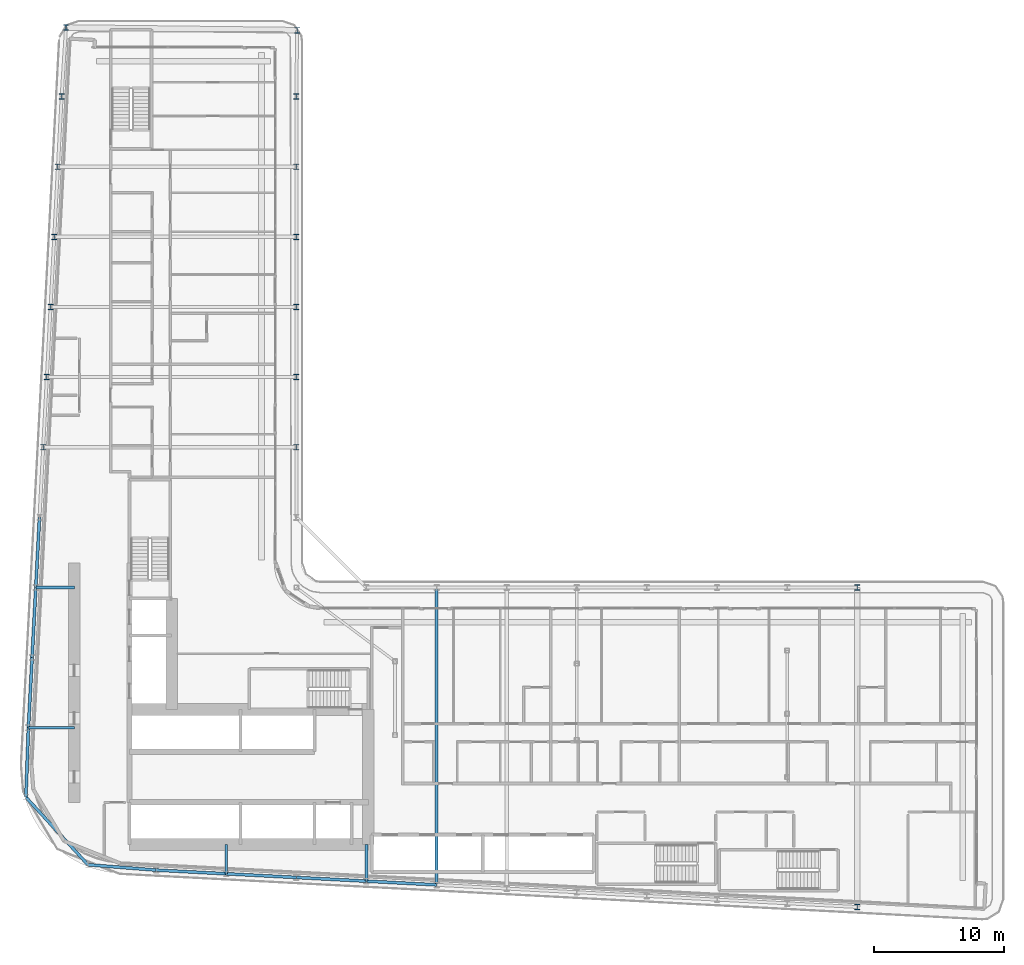
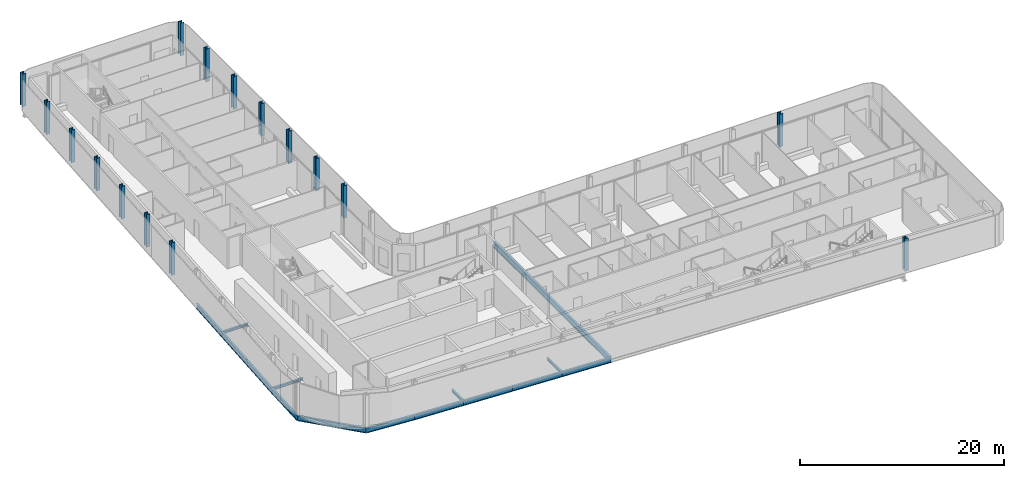
# One storey, part 3 of 27: 16 columns, 15 beams.
"""IFC4 building model written with IfcOpenShell, lengths in metres."""

import ifcopenshell
import ifcopenshell.guid

model = None  # the IFC model being written
_history = None  # IfcOwnerHistory: only IFC2X3 demands one
_inside = {}  # id of a spatial element -> (the spatial element, [elements in it])
_under = {}  # id of a project, library or spatial element -> (it, [spatial elements below it])
_declared = {}  # id of a project -> (the project, [libraries it declares])
_typed = {}  # id of a type object -> (the type object, [elements of that type])
_made_of = {}  # id of a material, layer set ... -> (it, [elements and type objects made of it])


def new_model(schema):
    """Start an empty IFC model of exactly this schema.

    Asked for "IFC4X3", IfcOpenShell would pick the latest addendum, in which some entities
    have other attributes; the version numbers below select the first issue.
    IFC2X3 requires an IfcOwnerHistory on every rooted entity: one is made here for all.
    """
    global model, _history
    if schema == "IFC4X3":
        model = ifcopenshell.file(schema_version=(4, 3, 0, 0))
    else:
        model = ifcopenshell.file(schema=schema)
    _inside.clear()
    _under.clear()
    _declared.clear()
    _typed.clear()
    _made_of.clear()
    _history = None
    if model.schema == "IFC2X3":
        org = make("IfcOrganization", Name="unknown")
        user = make(
            "IfcPersonAndOrganization",
            ThePerson=make("IfcPerson", FamilyName="unknown"),
            TheOrganization=org,
        )
        app = make(
            "IfcApplication",
            ApplicationDeveloper=org,
            Version="unknown",
            ApplicationFullName="unknown",
            ApplicationIdentifier="unknown",
        )
        _history = make(
            "IfcOwnerHistory",
            OwningUser=user,
            OwningApplication=app,
            ChangeAction="ADDED",
            CreationDate=0,
        )
    return model


def make(cls, **values):
    """One entity of the class cls with the attributes given. An attribute that is None is left unset."""
    return model.create_entity(
        cls, **{name: value for name, value in values.items() if value is not None}
    )


def rooted(cls, **values):
    """An entity with a GlobalId (a new one), such as an element, a storey or a relation."""
    return make(cls, GlobalId=ifcopenshell.guid.new(), OwnerHistory=_history, **values)


def si_unit(unit_type, name, prefix=None):
    """IfcSIUnit, for example si_unit("LENGTHUNIT", "METRE", prefix="MILLI")."""
    return make("IfcSIUnit", UnitType=unit_type, Prefix=prefix, Name=name)


def assignment(units):
    """IfcUnitAssignment: the units of a project."""
    return None if units is None else make("IfcUnitAssignment", Units=units)


def point(xyz):
    """IfcCartesianPoint."""
    return None if xyz is None else make("IfcCartesianPoint", Coordinates=xyz)


def direction(xyz):
    """IfcDirection."""
    return None if xyz is None else make("IfcDirection", DirectionRatios=xyz)


def frame(location, z_axis=None, x_axis=None):
    """IfcAxis2Placement3D, a coordinate frame: its origin and axes. An axis left out is left unset."""
    return make(
        "IfcAxis2Placement3D",
        Location=point(location),
        Axis=direction(z_axis),
        RefDirection=direction(x_axis),
    )


def frame_2d(location, x_axis=None):
    """IfcAxis2Placement2D, a coordinate frame in the plane: its origin and x axis."""
    return make(
        "IfcAxis2Placement2D", Location=point(location), RefDirection=direction(x_axis)
    )


def origin():
    """The frame at (0, 0, 0) with its axes left unset."""
    return frame((0.0, 0.0, 0.0))


def origin_2d():
    """The frame at (0, 0) in the plane with its x axis left unset."""
    return frame_2d((0.0, 0.0))


def place(relative_to, where):
    """IfcLocalPlacement: puts the frame where relative to a parent placement (None: the world)."""
    return make(
        "IfcLocalPlacement", PlacementRelTo=relative_to, RelativePlacement=where
    )


def context(
    kind, dimensions, precision=None, world=None, true_north=None, identifier=None
):
    """IfcGeometricRepresentationContext, for example the 3D "Model" context."""
    return make(
        "IfcGeometricRepresentationContext",
        ContextIdentifier=identifier,
        ContextType=kind,
        CoordinateSpaceDimension=dimensions,
        Precision=precision,
        WorldCoordinateSystem=world,
        TrueNorth=true_north,
    )


def subcontext(parent, identifier, kind, view, scale=None):
    """IfcGeometricRepresentationSubContext, for example "Body" below "Model"."""
    return make(
        "IfcGeometricRepresentationSubContext",
        ContextIdentifier=identifier,
        ContextType=kind,
        ParentContext=parent,
        TargetScale=scale,
        TargetView=view,
    )


def project(units=None, contexts=None):
    """IfcProject with its units and contexts."""
    return rooted(
        "IfcProject",
        Name="project",
        RepresentationContexts=contexts,
        UnitsInContext=assignment(units),
    )


def spatial(cls, under=None, at=None, **own):
    """A site, building, storey or space (cls), placed at a placement, below another one or the project."""
    s = rooted(cls, ObjectPlacement=at, **own)
    if under is not None:
        _under.setdefault(under.id(), (under, []))[1].append(s)
    return s


def profile(cls, at=None, kind="AREA", **sizes):
    """A parametric profile (cls). Its sizes go by their IFC names, for example OverallWidth=200.0."""
    return make(cls, ProfileType=kind, Position=at, **sizes)


def i_section(**sizes):
    """IfcIShapeProfileDef."""
    return profile("IfcIShapeProfileDef", **sizes)


def extrude(swept, where, along, depth):
    """IfcExtrudedAreaSolid: the profile swept, set in the frame where, extruded along a direction by depth."""
    return make(
        "IfcExtrudedAreaSolid",
        SweptArea=swept,
        Position=where,
        ExtrudedDirection=direction(along),
        Depth=depth,
    )


def shape(context_of_items, identifier, shape_type, items):
    """IfcShapeRepresentation: the items that make up one representation, for example the "Body"."""
    return make(
        "IfcShapeRepresentation",
        ContextOfItems=context_of_items,
        RepresentationIdentifier=identifier,
        RepresentationType=shape_type,
        Items=items,
    )


def material(Name=None, Category=None):
    """IfcMaterial."""
    return make("IfcMaterial", Name=Name, Category=Category)


def material_profile(
    of_material, cross_section, Name=None, Category=None, Priority=None
):
    """IfcMaterialProfile: a cross section and its material."""
    return make(
        "IfcMaterialProfile",
        Name=Name,
        Material=of_material,
        Profile=cross_section,
        Priority=Priority,
        Category=Category,
    )


def profile_set(profiles, Name=None, composite=None):
    """IfcMaterialProfileSet."""
    return make(
        "IfcMaterialProfileSet",
        Name=Name,
        MaterialProfiles=profiles,
        CompositeProfile=composite,
    )


def made_of(thing, what):
    """Note that an element or type object is made of a material, layer set ...; save() writes the relation."""
    if what is not None:
        _made_of.setdefault(what.id(), (what, []))[1].append(thing)
    return thing


def type_object(cls, material=None, **own):
    """A type object (cls), such as IfcWallType, which elements share."""
    return made_of(rooted(cls, **own), material)


def element(
    cls,
    number,
    at=None,
    inside=None,
    cuts=None,
    type_object=None,
    material=None,
    context=None,
    identifier="Body",
    shape_type=None,
    held_by="IfcProductDefinitionShape",
    body=None,
    shapes=None,
    **own,
):
    """One element of the class cls, such as IfcWall. Its Tag is "e" and its number.

    at: its placement. inside: the storey or other place that contains it. cuts: it is an
    opening in that element (IfcRelVoidsElement). A single representation is given by context,
    identifier, shape_type and body (its items); several are given by shapes. held_by: the class
    of the entity that holds the representations. save() writes the other relations.
    """
    e = rooted(cls, Tag="e%d" % number, ObjectPlacement=at, **own)
    if body is not None:
        shapes = [shape(context, identifier, shape_type, body)]
    if shapes is not None:
        e.Representation = make(held_by, Representations=shapes)
    if inside is not None:
        _inside.setdefault(inside.id(), (inside, []))[1].append(e)
    if cuts is not None:
        rooted(
            "IfcRelVoidsElement", RelatingBuildingElement=cuts, RelatedOpeningElement=e
        )
    if type_object is not None:
        _typed.setdefault(type_object.id(), (type_object, []))[1].append(e)
    return made_of(e, material)


def aggregate(whole, parts):
    """IfcRelAggregates: a whole, such as a stair, and the parts it consists of."""
    return rooted("IfcRelAggregates", RelatingObject=whole, RelatedObjects=parts)


def save(model, path):
    """Write the relations noted so far, then the file.

    IfcRelAggregates (storeys below a building ...), IfcRelContainedInSpatialStructure (elements
    in a storey), IfcRelDefinesByType, IfcRelAssociatesMaterial and IfcRelDeclares: one each for
    every whole, place, type object, material and project.
    """
    for whole, parts in _under.values():
        aggregate(whole, parts)
    for where, things in _inside.values():
        rooted(
            "IfcRelContainedInSpatialStructure",
            RelatedElements=things,
            RelatingStructure=where,
        )
    for kind, things in _typed.values():
        rooted("IfcRelDefinesByType", RelatedObjects=things, RelatingType=kind)
    for what, things in _made_of.values():
        rooted("IfcRelAssociatesMaterial", RelatedObjects=things, RelatingMaterial=what)
    for by, libraries in _declared.values():
        rooted("IfcRelDeclares", RelatingContext=by, RelatedDefinitions=libraries)
    model.write(path)


model = new_model("IFC4")

# Units and contexts
model_context = context("Model", 3, precision=1e-05, world=origin(), true_north=direction((0.0, 1.0)))
body_context = subcontext(model_context, "Body", "Model", "MODEL_VIEW")
ifc_project = project(units=[si_unit("LENGTHUNIT", "METRE"), si_unit("AREAUNIT", "SQUARE_METRE"), si_unit("VOLUMEUNIT", "CUBIC_METRE"), si_unit("PLANEANGLEUNIT", "RADIAN"), si_unit("MASSUNIT", "GRAM", prefix="KILO")], contexts=[model_context])

# Site, building, storey
site_placement = place(None, origin())
site = spatial("IfcSite", under=ifc_project, at=site_placement, CompositionType="ELEMENT")
building_placement = place(site_placement, origin())
building = spatial("IfcBuilding", under=site, at=building_placement, Name="Kheshtan School and Residences Tower", CompositionType="ELEMENT")
storey_placement = place(building_placement, frame((0.0, 0.0, 98.0)))
storey = spatial("IfcBuildingStorey", under=building, at=storey_placement, Name="L22", CompositionType="ELEMENT", Elevation=98.0)

# Columns
ifc_material = material(Name="Steel ASTM A992 Grade 50", Category="steel")
ifc_material_profile_1 = material_profile(ifc_material, i_section(OverallWidth=0.41796875, OverallDepth=0.455078125, WebThickness=0.042236328125, FlangeThickness=0.067626953125, FilletRadius=0.013671875, at=origin_2d()), Name="W360x551")
ifc_profile_set_1 = profile_set([ifc_material_profile_1], Name="Steel ASTM A992 Grade 50")
column_type = type_object("IfcColumnType", Name="Column C2 W360x551 ASTM A992 Grade 50", PredefinedType="COLUMN", material=ifc_profile_set_1)
for number, where, z_axis, x_axis, name in (
    (1, (90.800048828125, 20.989990234375, 0.0), (0.0, 0.0, 1.0), (1.0, 0.0, 0.0), "Column C006"),
    (2, (90.800048828125, 45.60009765625, 0.0), (0.0, 0.0, 1.0), (1.0, 0.0, 0.0), "Column C068"),
    (3, (28.10595703125, 56.39990234375, 0.0), (0.0, 0.0, 1.0), (1.0, 0.0, 0.0), "Column C080"),
    (4, (47.60009765625, 56.39990234375, 0.0), (0.0, 0.0, 1.0), (1.0, 0.0, 0.0), "Column C081"),
    (5, (28.389892578125, 61.800048828125, 0.0), (0.0, 0.0, 1.0), (1.0, 0.0, 0.0), "Column C082"),
    (6, (47.60009765625, 61.800048828125, 0.0), (0.0, 0.0, 1.0), (1.0, 0.0, 0.0), "Column C083"),
    (7, (28.674072265625, 67.199951171875, 0.0), (0.0, 0.0, 1.0), (1.0, 0.0, 0.0), "Column C084"),
    (8, (47.60009765625, 67.199951171875, 0.0), (0.0, 0.0, 1.0), (1.0, 0.0, 0.0), "Column C085"),
    (9, (28.9580078125, 72.60009765625, 0.0), (0.0, 0.0, 1.0), (1.0, 0.0, 0.0), "Column C086"),
    (10, (47.60009765625, 72.60009765625, 0.0), (0.0, 0.0, 1.0), (1.0, 0.0, 0.0), "Column C087"),
    (11, (29.242919921875, 78.0, 0.0), (0.0, 0.0, 1.0), (1.0, 0.0, 0.0), "Column C088"),
    (12, (47.60009765625, 78.0, 0.0), (0.0, 0.0, 1.0), (1.0, 0.0, 0.0), "Column C089"),
    (13, (29.527099609375, 83.39990234375, 0.0), (0.0, 0.0, 1.0), (1.0, 0.0, 0.0), "Column C090"),
    (14, (47.60009765625, 83.39990234375, 0.0), (0.0, 0.0, 1.0), (1.0, 0.0, 0.0), "Column C091"),
    (15, (47.660888671875, 88.506103515625, 0.0), (0.0, 0.0, 1.0), (1.0, 0.0, 0.0), "Column C092"),
    (16, (29.863037109375, 88.715087890625, 0.0), (0.0, 0.0, 1.0), (1.0, 0.0, 0.0), "Column C097"),
):
    element("IfcColumn", number, at=place(storey_placement, frame(where, z_axis=z_axis, x_axis=x_axis)), inside=storey, type_object=column_type, Name=name, PredefinedType="COLUMN", context=body_context, shape_type="SweptSolid", body=[
        extrude(i_section(OverallWidth=0.41796875, OverallDepth=0.455078125, WebThickness=0.042236328125, FlangeThickness=0.067626953125, FilletRadius=0.013671875, at=origin_2d()), origin(), (0.0, 0.0, 1.0), 3.89990234375),
    ])

# Beams
ifc_material_profile_2 = material_profile(ifc_material, i_section(OverallWidth=0.202880859375, OverallDepth=0.302978515625, WebThickness=0.007568359375, FlangeThickness=0.01318359375, FilletRadius=0.009033203125, at=origin_2d()), Name="W310x60")
ifc_profile_set_2 = profile_set([ifc_material_profile_2], Name="Steel ASTM A992 Grade 50")
beam_type_1 = type_object("IfcBeamType", Name="Beam FB1 W310x60 ASTM A992 Grade 50", PredefinedType="BEAM", material=ifc_profile_set_2)
beam_1_placement = place(storey_placement, frame((53.0, 22.97998046875, -0.301513671875), z_axis=(0.0, 1.0, 0.0), x_axis=(-1.0, 0.0, 0.0)))
element("IfcBeam", 17, at=beam_1_placement, inside=storey, type_object=beam_type_1, Name="Floor beam C019", PredefinedType="BEAM", context=body_context, shape_type="SweptSolid", body=[
    extrude(i_section(OverallWidth=0.202880859375, OverallDepth=0.302978515625, WebThickness=0.007568359375, FlangeThickness=0.01318359375, FilletRadius=0.009033203125, at=origin_2d()), origin(), (0.0, 0.0, 1.0), 2.820068359375),
])
beam_2_placement = place(storey_placement, frame((42.199951171875, 23.548095703125, -0.301513671875), z_axis=(0.0, 1.0, 0.0), x_axis=(-1.0, 0.0, 0.0)))
element("IfcBeam", 18, at=beam_2_placement, inside=storey, type_object=beam_type_1, Name="Floor beam C021", PredefinedType="BEAM", context=body_context, shape_type="SweptSolid", body=[
    extrude(i_section(OverallWidth=0.202880859375, OverallDepth=0.302978515625, WebThickness=0.007568359375, FlangeThickness=0.01318359375, FilletRadius=0.009033203125, at=origin_2d()), origin(), (0.0, 0.0, 1.0), 2.251953125),
])
beam_3_placement = place(storey_placement, frame((26.968994140625, 34.800048828125, -0.301513671875), z_axis=(1.0, 0.0, 0.0), x_axis=(0.0, 1.0, 0.0)))
element("IfcBeam", 19, at=beam_3_placement, inside=storey, type_object=beam_type_1, Name="Floor beam C052", PredefinedType="BEAM", context=body_context, shape_type="SweptSolid", body=[
    extrude(i_section(OverallWidth=0.202880859375, OverallDepth=0.302978515625, WebThickness=0.007568359375, FlangeThickness=0.01318359375, FilletRadius=0.009033203125, at=origin_2d()), origin(), (0.0, 0.0, 1.0), 3.531005859375),
])
beam_4_placement = place(storey_placement, frame((27.537109375, 45.60009765625, -0.301513671875), z_axis=(1.0, 0.0, 0.0), x_axis=(0.0, 1.0, 0.0)))
element("IfcBeam", 20, at=beam_4_placement, inside=storey, type_object=beam_type_1, Name="Floor beam C059", PredefinedType="BEAM", context=body_context, shape_type="SweptSolid", body=[
    extrude(i_section(OverallWidth=0.202880859375, OverallDepth=0.302978515625, WebThickness=0.007568359375, FlangeThickness=0.01318359375, FilletRadius=0.009033203125, at=origin_2d()), origin(), (0.0, 0.0, 1.0), 2.962890625),
])
ifc_material_profile_3 = material_profile(ifc_material, i_section(OverallWidth=0.2529296875, OverallDepth=0.677978515625, WebThickness=0.01171875, FlangeThickness=0.016357421875, FilletRadius=0.0146484375, at=origin_2d()), Name="W690x125")
ifc_profile_set_3 = profile_set([ifc_material_profile_3], Name="Steel ASTM A992 Grade 50")
beam_type_2 = type_object("IfcBeamType", Name="Beam FB6 W690x125 ASTM A992 Grade 50", PredefinedType="BEAM", material=ifc_profile_set_3)
beam_5_placement = place(storey_placement, frame((58.39990234375, 45.60009765625, -0.489013671875), z_axis=(0.0, -1.0, 0.0), x_axis=(1.0, 0.0, 0.0)))
element("IfcBeam", 21, at=beam_5_placement, inside=storey, type_object=beam_type_2, Name="Floor beam C062", PredefinedType="BEAM", context=body_context, shape_type="SweptSolid", body=[
    extrude(i_section(OverallWidth=0.2529296875, OverallDepth=0.677978515625, WebThickness=0.01171875, FlangeThickness=0.016357421875, FilletRadius=0.0146484375, at=origin_2d()), origin(), (0.0, 0.0, 1.0), 22.905029296875),
])
ifc_material_profile_4 = material_profile(ifc_material, i_section(OverallWidth=0.22802734375, OverallDepth=0.60302734375, WebThickness=0.010498046875, FlangeThickness=0.014892578125, FilletRadius=0.013427734375, at=origin_2d()), Name="W610x101")
ifc_profile_set_4 = profile_set([ifc_material_profile_4], Name="Steel ASTM A992 Grade 50")
beam_type_3 = type_object("IfcBeamType", Name="Beam SP2 W610x101 ASTM A992 Grade 50", PredefinedType="BEAM", material=ifc_profile_set_4)
for number, where, z_axis, x_axis, name in (
    (22, (58.39990234375, 22.695068359375, -0.451416015625), (-0.998610961136, 0.052689166816, 0.0), (-0.052689166816, -0.998610961136, 0.0), "Spandrel beam C018-C019"),
    (23, (53.0, 22.97998046875, -0.451416015625), (-0.998620447272, 0.05250906864, 0.0), (-0.05250906864, -0.998620447272, 0.0), "Spandrel beam C019-C020"),
):
    element("IfcBeam", number, at=place(storey_placement, frame(where, z_axis=z_axis, x_axis=x_axis)), inside=storey, type_object=beam_type_3, Name=name, PredefinedType="BEAM", context=body_context, shape_type="SweptSolid", body=[
        extrude(i_section(OverallWidth=0.22802734375, OverallDepth=0.60302734375, WebThickness=0.010498046875, FlangeThickness=0.014892578125, FilletRadius=0.013427734375, at=origin_2d()), origin(), (0.0, 0.0, 1.0), 5.407470703125),
    ])
beam_6_placement = place(storey_placement, frame((47.60009765625, 23.263916015625, -0.451416015625), z_axis=(-0.998618203458, 0.052551724256, 0.0), x_axis=(-0.052551724256, -0.998618203458, 0.0)))
element("IfcBeam", 24, at=beam_6_placement, inside=storey, type_object=beam_type_3, Name="Spandrel beam C020-C021", PredefinedType="BEAM", context=body_context, shape_type="SweptSolid", body=[
    extrude(i_section(OverallWidth=0.22802734375, OverallDepth=0.60302734375, WebThickness=0.010498046875, FlangeThickness=0.014892578125, FilletRadius=0.013427734375, at=origin_2d()), origin(), (0.0, 0.0, 1.0), 5.40771484375),
])
beam_7_placement = place(storey_placement, frame((42.199951171875, 23.548095703125, -0.451416015625), z_axis=(-0.998620447272, 0.05250906864, 0.0), x_axis=(-0.05250906864, -0.998620447272, 0.0)))
element("IfcBeam", 25, at=beam_7_placement, inside=storey, type_object=beam_type_3, Name="Spandrel beam C021-C022", PredefinedType="BEAM", context=body_context, shape_type="SweptSolid", body=[
    extrude(i_section(OverallWidth=0.22802734375, OverallDepth=0.60302734375, WebThickness=0.010498046875, FlangeThickness=0.014892578125, FilletRadius=0.013427734375, at=origin_2d()), origin(), (0.0, 0.0, 1.0), 5.407470703125),
])
beam_8_placement = place(storey_placement, frame((36.800048828125, 23.83203125, -0.451416015625), z_axis=(-0.996960114111, 0.077913611599, 0.0), x_axis=(-0.077913611599, -0.996960114111, 0.0)))
element("IfcBeam", 26, at=beam_8_placement, inside=storey, type_object=beam_type_3, Name="Spandrel beam C022-C023", PredefinedType="BEAM", context=body_context, shape_type="SweptSolid", body=[
    extrude(i_section(OverallWidth=0.22802734375, OverallDepth=0.60302734375, WebThickness=0.010498046875, FlangeThickness=0.014892578125, FilletRadius=0.013427734375, at=origin_2d()), origin(), (0.0, 0.0, 1.0), 5.26123046875),
])
beam_9_placement = place(storey_placement, frame((31.554931640625, 24.241943359375, -0.451416015625), z_axis=(-0.676606556481, 0.736344734297, 0.0), x_axis=(-0.736344734297, -0.676606556481, 0.0)))
element("IfcBeam", 27, at=beam_9_placement, inside=storey, type_object=beam_type_3, Name="Spandrel beam C023-C036", PredefinedType="BEAM", context=body_context, shape_type="SweptSolid", body=[
    extrude(i_section(OverallWidth=0.22802734375, OverallDepth=0.60302734375, WebThickness=0.010498046875, FlangeThickness=0.014892578125, FilletRadius=0.013427734375, at=origin_2d()), origin(), (0.0, 0.0, 1.0), 7.066162109375),
])
beam_10_placement = place(storey_placement, frame((26.77392578125, 29.445068359375, -0.451416015625), z_axis=(0.036403319341, 0.999337179505, 0.0), x_axis=(-0.999337179505, 0.036403319341, 0.0)))
element("IfcBeam", 28, at=beam_10_placement, inside=storey, type_object=beam_type_3, Name="Spandrel beam C036-C052", PredefinedType="BEAM", context=body_context, shape_type="SweptSolid", body=[
    extrude(i_section(OverallWidth=0.22802734375, OverallDepth=0.60302734375, WebThickness=0.010498046875, FlangeThickness=0.014892578125, FilletRadius=0.013427734375, at=origin_2d()), origin(), (0.0, 0.0, 1.0), 5.358642578125),
])
beam_11_placement = place(storey_placement, frame((26.968994140625, 34.800048828125, -0.451416015625), z_axis=(0.05250906864, 0.998620447272, 0.0), x_axis=(-0.998620447272, 0.05250906864, 0.0)))
element("IfcBeam", 29, at=beam_11_placement, inside=storey, type_object=beam_type_3, Name="Spandrel beam C052-C056", PredefinedType="BEAM", context=body_context, shape_type="SweptSolid", body=[
    extrude(i_section(OverallWidth=0.22802734375, OverallDepth=0.60302734375, WebThickness=0.010498046875, FlangeThickness=0.014892578125, FilletRadius=0.013427734375, at=origin_2d()), origin(), (0.0, 0.0, 1.0), 5.407470703125),
])
beam_12_placement = place(storey_placement, frame((27.2529296875, 40.199951171875, -0.451416015625), z_axis=(0.052551724256, 0.998618203458, 0.0), x_axis=(-0.998618203458, 0.052551724256, 0.0)))
element("IfcBeam", 30, at=beam_12_placement, inside=storey, type_object=beam_type_3, Name="Spandrel beam C056-C059", PredefinedType="BEAM", context=body_context, shape_type="SweptSolid", body=[
    extrude(i_section(OverallWidth=0.22802734375, OverallDepth=0.60302734375, WebThickness=0.010498046875, FlangeThickness=0.014892578125, FilletRadius=0.013427734375, at=origin_2d()), origin(), (0.0, 0.0, 1.0), 5.40771484375),
])
beam_13_placement = place(storey_placement, frame((27.537109375, 45.60009765625, -0.451416015625), z_axis=(0.052689166816, 0.998610961136, 0.0), x_axis=(-0.998610961136, 0.052689166816, 0.0)))
element("IfcBeam", 31, at=beam_13_placement, inside=storey, type_object=beam_type_3, Name="Spandrel beam C059-C078", PredefinedType="BEAM", context=body_context, shape_type="SweptSolid", body=[
    extrude(i_section(OverallWidth=0.22802734375, OverallDepth=0.60302734375, WebThickness=0.010498046875, FlangeThickness=0.014892578125, FilletRadius=0.013427734375, at=origin_2d()), origin(), (0.0, 0.0, 1.0), 5.407470703125),
])

save(model, "model.ifc")
